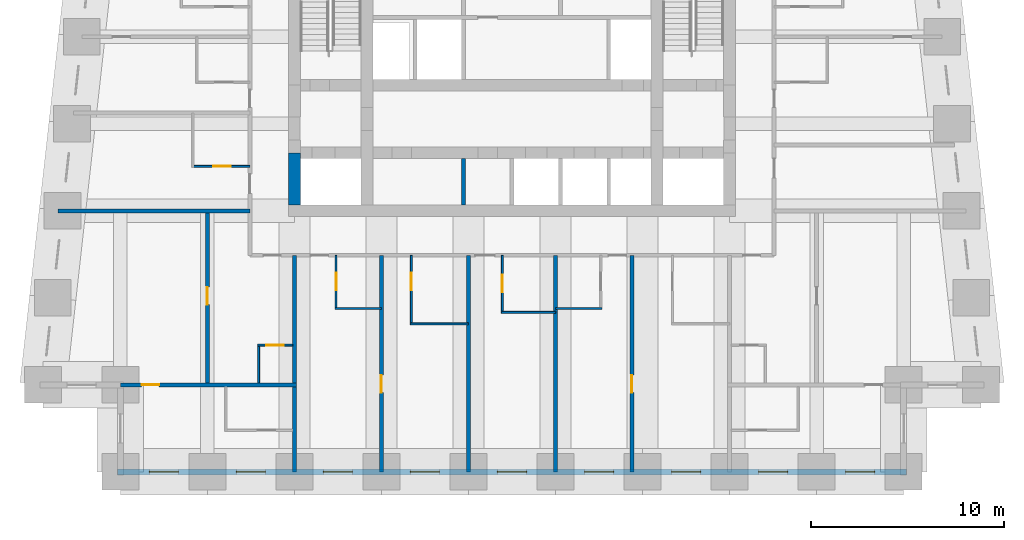
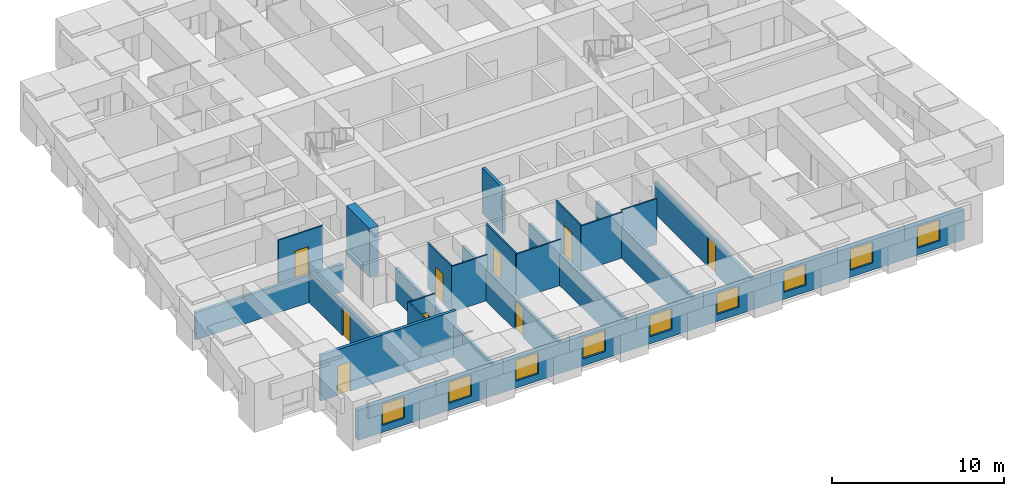
# One storey, part 2 of 8: 21 walls, 9 doors, 9 windows, 18 openings.
"""IFC4 building model written with IfcOpenShell, lengths in metres."""

from ifc_helpers import new_model, si_unit, direction, frame, frame_2d, origin, place, context, subcontext, project, spatial, rectangle, extrude, material, layer, layer_set, type_object, element, fill, save


model = new_model("IFC4")

# Units and contexts
model_context = context("Model", 3, precision=1e-05, world=origin(), true_north=direction((0.0, 1.0)))
body_context = subcontext(model_context, "Body", "Model", "MODEL_VIEW")
ifc_project = project(units=[si_unit("LENGTHUNIT", "METRE"), si_unit("AREAUNIT", "SQUARE_METRE"), si_unit("VOLUMEUNIT", "CUBIC_METRE"), si_unit("PLANEANGLEUNIT", "RADIAN"), si_unit("MASSUNIT", "GRAM", prefix="KILO")], contexts=[model_context])

# Site, building, storey
site_placement = place(None, origin())
site = spatial("IfcSite", under=ifc_project, at=site_placement, CompositionType="ELEMENT")
building_placement = place(site_placement, origin())
building = spatial("IfcBuilding", under=site, at=building_placement, Name="Kilele Tower Hotel", CompositionType="ELEMENT")
storey_placement = place(building_placement, frame((0.0, 0.0, 138.89990234375)))
storey = spatial("IfcBuildingStorey", under=building, at=storey_placement, Name="L36", CompositionType="ELEMENT", Elevation=138.89990234375)

# Wall
ifc_material_1 = material(Name="Moisture-resistant board")
ifc_layer_1 = layer(ifc_material_1, 0.10009765625)
ifc_layer_set_1 = layer_set([ifc_layer_1], Name="Moisture-resistant board")
wall_type_1 = type_object("IfcWallType", Name="Bathroom partition 100", PredefinedType="PLUMBINGWALL", material=ifc_layer_set_1)
wall_1_placement = place(storey_placement, frame((15.60009765625, 8.449951171875, 0.0), z_axis=(0.0, 0.0, 1.0), x_axis=(1.0, 0.0, 0.0)))
element("IfcWall", 1, at=wall_1_placement, inside=storey, type_object=wall_type_1, Name="Bathroom partition 100 L36", PredefinedType="PLUMBINGWALL", context=body_context, shape_type="SweptSolid", body=[
    extrude(rectangle(XDim=2.39990234375, YDim=0.10009765625, at=frame_2d((1.199951171875, 0.0))), origin(), (0.0, 0.0, 1.0), 3.25),
])

# Wall, opening, door
wall_2_placement = place(storey_placement, frame((15.64990234375, 11.199951171875, 0.0), z_axis=(0.0, 0.0, 1.0), x_axis=(0.0, -1.0, 0.0)))
wall_2 = element("IfcWall", 2, at=wall_2_placement, inside=storey, type_object=wall_type_1, Name="Bathroom partition 100 L36", PredefinedType="PLUMBINGWALL", context=body_context, shape_type="SweptSolid", body=[
    extrude(rectangle(XDim=2.800048828125, YDim=0.10009765625, at=frame_2d((1.39990234375, 0.0))), origin(), (0.0, 0.0, 1.0), 3.25),
])
opening_1_placement = place(wall_2_placement, frame((1.7998046875, 0.0, 0.0), z_axis=(0.0, 0.0, 1.0), x_axis=(-1.0, 0.0, 0.0)))
opening_1 = element("IfcOpeningElement", 3, at=opening_1_placement, cuts=wall_2, Name="Opening D2A", PredefinedType="OPENING", context=body_context, shape_type="SweptSolid", body=[
    extrude(rectangle(XDim=0.89990234375, YDim=2.10009765625, at=frame_2d((0.449951171875, 1.050048828125))), frame((0.0, 0.06005859375, 0.0), z_axis=(0.0, -1.0, 0.0), x_axis=(1.0, 0.0, 0.0)), (0.0, 0.0, 1.0), 0.1201171875),
])
ifc_material_2 = material(Name="Timber door leaf in hardwood frame", Category="wood")
door_type_1 = type_object("IfcDoorType", Name="Bathroom door 900", OperationType="SINGLE_SWING_LEFT", PredefinedType="DOOR", material=ifc_material_2)
door_1_placement = place(opening_1_placement, origin())
door_1 = element("IfcDoor", 4, at=door_1_placement, inside=storey, type_object=door_type_1, Name="Bathroom door 3601B", OperationType="SINGLE_SWING_RIGHT", OverallHeight=2.10009765625, OverallWidth=0.89990234375, PredefinedType="DOOR", context=body_context, shape_type="SweptSolid", body=[
    extrude(rectangle(XDim=0.89990234375, YDim=2.10009765625, at=frame_2d((0.449951171875, 1.050048828125))), frame((0.0, 0.02490234375, 0.0), z_axis=(0.0, -1.0, 0.0), x_axis=(1.0, 0.0, 0.0)), (0.0, 0.0, 1.0), 0.050048828125),
])
fill(opening_1, door_1)

# Wall
wall_3_placement = place(storey_placement, frame((19.5, 7.64990234375, 0.0), z_axis=(0.0, 0.0, 1.0), x_axis=(1.0, 0.0, 0.0)))
element("IfcWall", 5, at=wall_3_placement, inside=storey, type_object=wall_type_1, Name="Bathroom partition 100 L36", PredefinedType="PLUMBINGWALL", context=body_context, shape_type="SweptSolid", body=[
    extrude(rectangle(XDim=3.0, YDim=0.10009765625, at=frame_2d((1.5, 0.0))), origin(), (0.0, 0.0, 1.0), 3.25),
])

# Wall, opening, door
wall_4_placement = place(storey_placement, frame((19.550048828125, 11.199951171875, 0.0), z_axis=(0.0, 0.0, 1.0), x_axis=(0.0, -1.0, 0.0)))
wall_4 = element("IfcWall", 6, at=wall_4_placement, inside=storey, type_object=wall_type_1, Name="Bathroom partition 100 L36", PredefinedType="PLUMBINGWALL", context=body_context, shape_type="SweptSolid", body=[
    extrude(rectangle(XDim=3.599853515625, YDim=0.10009765625, at=frame_2d((1.7998046875, 0.0))), origin(), (0.0, 0.0, 1.0), 3.25),
])
opening_2_placement = place(wall_4_placement, frame((1.7998046875, 0.0, 0.0), z_axis=(0.0, 0.0, 1.0), x_axis=(-1.0, 0.0, 0.0)))
opening_2 = element("IfcOpeningElement", 7, at=opening_2_placement, cuts=wall_4, Name="Opening D2A", PredefinedType="OPENING", context=body_context, shape_type="SweptSolid", body=[
    extrude(rectangle(XDim=0.89990234375, YDim=2.10009765625, at=frame_2d((0.449951171875, 1.050048828125))), frame((0.0, 0.06005859375, 0.0), z_axis=(0.0, -1.0, 0.0), x_axis=(1.0, 0.0, 0.0)), (0.0, 0.0, 1.0), 0.1201171875),
])
door_2_placement = place(opening_2_placement, origin())
door_2 = element("IfcDoor", 8, at=door_2_placement, inside=storey, type_object=door_type_1, Name="Bathroom door 3602B", OperationType="SINGLE_SWING_RIGHT", OverallHeight=2.10009765625, OverallWidth=0.89990234375, PredefinedType="DOOR", context=body_context, shape_type="SweptSolid", body=[
    extrude(rectangle(XDim=0.89990234375, YDim=2.10009765625, at=frame_2d((0.449951171875, 1.050048828125))), frame((0.0, 0.02490234375, 0.0), z_axis=(0.0, -1.0, 0.0), x_axis=(1.0, 0.0, 0.0)), (0.0, 0.0, 1.0), 0.050048828125),
])
fill(opening_2, door_2)

# Wall
wall_5_placement = place(storey_placement, frame((24.199951171875, 8.25, 0.0), z_axis=(0.0, 0.0, 1.0), x_axis=(1.0, 0.0, 0.0)))
element("IfcWall", 9, at=wall_5_placement, inside=storey, type_object=wall_type_1, Name="Bathroom partition 100 L36", PredefinedType="PLUMBINGWALL", context=body_context, shape_type="SweptSolid", body=[
    extrude(rectangle(XDim=2.800048828125, YDim=0.10009765625, at=frame_2d((1.39990234375, 0.0))), origin(), (0.0, 0.0, 1.0), 3.25),
])

# Wall, opening, door
wall_6_placement = place(storey_placement, frame((24.25, 11.199951171875, 0.0), z_axis=(0.0, 0.0, 1.0), x_axis=(0.0, -1.0, 0.0)))
wall_6 = element("IfcWall", 10, at=wall_6_placement, inside=storey, type_object=wall_type_1, Name="Bathroom partition 100 L36", PredefinedType="PLUMBINGWALL", context=body_context, shape_type="SweptSolid", body=[
    extrude(rectangle(XDim=3.0, YDim=0.10009765625, at=frame_2d((1.5, 0.0))), origin(), (0.0, 0.0, 1.0), 3.25),
])
opening_3_placement = place(wall_6_placement, frame((1.89990234375, 0.0, 0.0), z_axis=(0.0, 0.0, 1.0), x_axis=(-1.0, 0.0, 0.0)))
opening_3 = element("IfcOpeningElement", 11, at=opening_3_placement, cuts=wall_6, Name="Opening D2A", PredefinedType="OPENING", context=body_context, shape_type="SweptSolid", body=[
    extrude(rectangle(XDim=0.89990234375, YDim=2.10009765625, at=frame_2d((0.449951171875, 1.050048828125))), frame((0.0, 0.06005859375, 0.0), z_axis=(0.0, -1.0, 0.0), x_axis=(1.0, 0.0, 0.0)), (0.0, 0.0, 1.0), 0.1201171875),
])
door_3_placement = place(opening_3_placement, origin())
door_3 = element("IfcDoor", 12, at=door_3_placement, inside=storey, type_object=door_type_1, Name="Bathroom door 3603B", OperationType="SINGLE_SWING_RIGHT", OverallHeight=2.10009765625, OverallWidth=0.89990234375, PredefinedType="DOOR", context=body_context, shape_type="SweptSolid", body=[
    extrude(rectangle(XDim=0.89990234375, YDim=2.10009765625, at=frame_2d((0.449951171875, 1.050048828125))), frame((0.0, 0.02490234375, 0.0), z_axis=(0.0, -1.0, 0.0), x_axis=(1.0, 0.0, 0.0)), (0.0, 0.0, 1.0), 0.050048828125),
])
fill(opening_3, door_3)

# Wall
wall_7_placement = place(storey_placement, frame((27.0, 8.449951171875, 0.0), z_axis=(0.0, 0.0, 1.0), x_axis=(1.0, 0.0, 0.0)))
element("IfcWall", 13, at=wall_7_placement, inside=storey, type_object=wall_type_1, Name="Bathroom partition 100 L36", PredefinedType="PLUMBINGWALL", context=body_context, shape_type="SweptSolid", body=[
    extrude(rectangle(XDim=2.39990234375, YDim=0.10009765625, at=frame_2d((1.199951171875, 0.0))), origin(), (0.0, 0.0, 1.0), 3.25),
])

# Wall, opening, door
wall_8_placement = place(storey_placement, frame((11.199951171875, 15.800048828125, 0.0), z_axis=(0.0, 0.0, 1.0), x_axis=(-1.0, 0.0, 0.0)))
wall_8 = element("IfcWall", 14, at=wall_8_placement, inside=storey, type_object=wall_type_1, Name="Bathroom partition 100 L36", PredefinedType="PLUMBINGWALL", context=body_context, shape_type="SweptSolid", body=[
    extrude(rectangle(XDim=3.0, YDim=0.10009765625, at=frame_2d((1.5, 0.0))), origin(), (0.0, 0.0, 1.0), 3.25),
])
opening_4_placement = place(wall_8_placement, frame((1.0, 0.0, 0.0)))
opening_4 = element("IfcOpeningElement", 15, at=opening_4_placement, cuts=wall_8, Name="Opening D2A", PredefinedType="OPENING", context=body_context, shape_type="SweptSolid", body=[
    extrude(rectangle(XDim=0.89990234375, YDim=2.10009765625, at=frame_2d((0.449951171875, 1.050048828125))), frame((0.0, 0.06005859375, 0.0), z_axis=(0.0, -1.0, 0.0), x_axis=(1.0, 0.0, 0.0)), (0.0, 0.0, 1.0), 0.1201171875),
])
door_4_placement = place(opening_4_placement, origin())
door_4 = element("IfcDoor", 16, at=door_4_placement, inside=storey, type_object=door_type_1, Name="Bathroom door 3614B", OperationType="SINGLE_SWING_LEFT", OverallHeight=2.10009765625, OverallWidth=0.89990234375, PredefinedType="DOOR", context=body_context, shape_type="SweptSolid", body=[
    extrude(rectangle(XDim=0.89990234375, YDim=2.10009765625, at=frame_2d((0.449951171875, 1.050048828125))), frame((0.0, 0.02490234375, 0.0), z_axis=(0.0, -1.0, 0.0), x_axis=(1.0, 0.0, 0.0)), (0.0, 0.0, 1.0), 0.050048828125),
])
fill(opening_4, door_4)

# Wall
wall_9_placement = place(storey_placement, frame((11.64990234375, 4.60009765625, 0.0), z_axis=(0.0, 0.0, 1.0), x_axis=(0.0, 1.0, 0.0)))
element("IfcWall", 17, at=wall_9_placement, inside=storey, type_object=wall_type_1, Name="Bathroom partition 100 L36", PredefinedType="PLUMBINGWALL", context=body_context, shape_type="SweptSolid", body=[
    extrude(rectangle(XDim=2.0, YDim=0.10009765625, at=frame_2d((1.0, 0.0))), origin(), (0.0, 0.0, 1.0), 3.25),
])

# Wall, opening, door
wall_10_placement = place(storey_placement, frame((13.39990234375, 6.550048828125, 0.0), z_axis=(0.0, 0.0, 1.0), x_axis=(-1.0, 0.0, 0.0)))
wall_10 = element("IfcWall", 18, at=wall_10_placement, inside=storey, type_object=wall_type_1, Name="Bathroom partition 100 L36", PredefinedType="PLUMBINGWALL", context=body_context, shape_type="SweptSolid", body=[
    extrude(rectangle(XDim=1.7998046875, YDim=0.10009765625, at=frame_2d((0.89990234375, 0.0))), origin(), (0.0, 0.0, 1.0), 3.25),
])
opening_5_placement = place(wall_10_placement, frame((1.349853515625, 0.0, 0.0), z_axis=(0.0, 0.0, 1.0), x_axis=(-1.0, 0.0, 0.0)))
opening_5 = element("IfcOpeningElement", 19, at=opening_5_placement, cuts=wall_10, Name="Opening D2A", PredefinedType="OPENING", context=body_context, shape_type="SweptSolid", body=[
    extrude(rectangle(XDim=0.89990234375, YDim=2.10009765625, at=frame_2d((0.449951171875, 1.050048828125))), frame((0.0, 0.06005859375, 0.0), z_axis=(0.0, -1.0, 0.0), x_axis=(1.0, 0.0, 0.0)), (0.0, 0.0, 1.0), 0.1201171875),
])
door_5_placement = place(opening_5_placement, origin())
door_5 = element("IfcDoor", 20, at=door_5_placement, inside=storey, type_object=door_type_1, Name="Bathroom door 3617P", OperationType="SINGLE_SWING_RIGHT", OverallHeight=2.10009765625, OverallWidth=0.89990234375, PredefinedType="DOOR", context=body_context, shape_type="SweptSolid", body=[
    extrude(rectangle(XDim=0.89990234375, YDim=2.10009765625, at=frame_2d((0.449951171875, 1.050048828125))), frame((0.0, 0.02490234375, 0.0), z_axis=(0.0, -1.0, 0.0), x_axis=(1.0, 0.0, 0.0)), (0.0, 0.0, 1.0), 0.050048828125),
])
fill(opening_5, door_5)

# Wall
ifc_material_3 = material(Name="Concrete C60/75", Category="concrete")
ifc_layer_2 = layer(ifc_material_3, 0.60009765625)
ifc_layer_set_2 = layer_set([ifc_layer_2], Name="Concrete C60/75")
wall_type_2 = type_object("IfcWallType", Name="Core wall 600 C60/75", PredefinedType="SHEAR", material=ifc_layer_set_2)
wall_11_placement = place(storey_placement, frame((13.5, 16.5, 0.0), z_axis=(0.0, 0.0, 1.0), x_axis=(0.0, -1.0, 0.0)))
element("IfcWall", 21, at=wall_11_placement, inside=storey, type_object=wall_type_2, Name="Core wall W3 L36", PredefinedType="SHEAR", context=body_context, shape_type="SweptSolid", body=[
    extrude(rectangle(XDim=2.699951171875, YDim=0.60009765625, at=frame_2d((1.35009765625, 0.0))), origin(), (0.0, 0.0, 1.0), 3.5),
])

# Wall, opening, door
ifc_material_4 = material(Name="Blockwork, plastered both sides", Category="masonry")
ifc_layer_3 = layer(ifc_material_4, 0.199951171875)
ifc_layer_set_3 = layer_set([ifc_layer_3], Name="Blockwork, plastered both sides")
wall_type_3 = type_object("IfcWallType", Name="Partition wall 200", PredefinedType="PARTITIONING", material=ifc_layer_set_3)
wall_12_placement = place(storey_placement, frame((9.0, 4.60009765625, 0.0), z_axis=(0.0, 0.0, 1.0), x_axis=(0.0, 1.0, 0.0)))
wall_12 = element("IfcWall", 22, at=wall_12_placement, inside=storey, type_object=wall_type_3, Name="Partition wall 200 L36", PredefinedType="PARTITIONING", context=body_context, shape_type="SweptSolid", body=[
    extrude(rectangle(XDim=8.7998046875, YDim=0.199951171875, at=frame_2d((4.39990234375, 0.0))), origin(), (0.0, 0.0, 1.0), 2.25),
])
opening_6_placement = place(wall_12_placement, frame((4.050048828125, 0.0, 0.0)))
opening_6 = element("IfcOpeningElement", 23, at=opening_6_placement, cuts=wall_12, Name="Opening D3", PredefinedType="OPENING", context=body_context, shape_type="SweptSolid", body=[
    extrude(rectangle(XDim=0.89990234375, YDim=2.10009765625, at=frame_2d((0.449951171875, 1.050048828125))), frame((0.0, 0.10986328125, 0.0), z_axis=(0.0, -1.0, 0.0), x_axis=(1.0, 0.0, 0.0)), (0.0, 0.0, 1.0), 0.219970703125),
])
ifc_material_5 = material(Name="Timber door leaf in hardwood frame", Category="wood")
door_type_2 = type_object("IfcDoorType", Name="Suite internal door 900", OperationType="SINGLE_SWING_LEFT", PredefinedType="DOOR", material=ifc_material_5)
door_6_placement = place(opening_6_placement, origin())
door_6 = element("IfcDoor", 24, at=door_6_placement, inside=storey, type_object=door_type_2, Name="Suite door 3618", OperationType="SINGLE_SWING_RIGHT", OverallHeight=2.10009765625, OverallWidth=0.89990234375, PredefinedType="DOOR", context=body_context, shape_type="SweptSolid", body=[
    extrude(rectangle(XDim=0.89990234375, YDim=2.10009765625, at=frame_2d((0.449951171875, 1.050048828125))), frame((0.0, 0.02490234375, 0.0), z_axis=(0.0, -1.0, 0.0), x_axis=(1.0, 0.0, 0.0)), (0.0, 0.0, 1.0), 0.050048828125),
])
fill(opening_6, door_6)

ifc_material_6 = material(Name="Blockwork, plastered both sides", Category="masonry")
ifc_layer_4 = layer(ifc_material_6, 0.199951171875)
ifc_layer_set_4 = layer_set([ifc_layer_4], Name="Blockwork, plastered both sides")
wall_type_4 = type_object("IfcWallType", Name="Party wall 200", PredefinedType="PARTITIONING", material=ifc_layer_set_4)
wall_13_placement = place(storey_placement, frame((18.0, 11.199951171875, 0.0), z_axis=(0.0, 0.0, 1.0), x_axis=(0.0, -1.0, 0.0)))
wall_13 = element("IfcWall", 25, at=wall_13_placement, inside=storey, type_object=wall_type_4, Name="Party wall 200 L36", PredefinedType="PARTITIONING", context=body_context, shape_type="SweptSolid", body=[
    extrude(rectangle(XDim=11.199951171875, YDim=0.199951171875, at=frame_2d((5.60009765625, 0.0))), origin(), (0.0, 0.0, 1.0), 2.25),
])
opening_7_placement = place(wall_13_placement, frame((6.199951171875, 0.0, 0.0)))
opening_7 = element("IfcOpeningElement", 26, at=opening_7_placement, cuts=wall_13, Name="Opening D3", PredefinedType="OPENING", context=body_context, shape_type="SweptSolid", body=[
    extrude(rectangle(XDim=0.89990234375, YDim=2.10009765625, at=frame_2d((0.449951171875, 1.050048828125))), frame((0.0, 0.10986328125, 0.0), z_axis=(0.0, -1.0, 0.0), x_axis=(1.0, 0.0, 0.0)), (0.0, 0.0, 1.0), 0.219970703125),
])
door_7_placement = place(opening_7_placement, origin())
door_7 = element("IfcDoor", 27, at=door_7_placement, inside=storey, type_object=door_type_2, Name="Suite door 3602", OperationType="SINGLE_SWING_RIGHT", OverallHeight=2.10009765625, OverallWidth=0.89990234375, PredefinedType="DOOR", context=body_context, shape_type="SweptSolid", body=[
    extrude(rectangle(XDim=0.89990234375, YDim=2.10009765625, at=frame_2d((0.449951171875, 1.050048828125))), frame((0.0, 0.02490234375, 0.0), z_axis=(0.0, -1.0, 0.0), x_axis=(1.0, 0.0, 0.0)), (0.0, 0.0, 1.0), 0.050048828125),
])
fill(opening_7, door_7)

# Walls
for number, where, z_axis, x_axis, name in (
    (28, (22.5, 11.199951171875, 0.0), (0.0, 0.0, 1.0), (0.0, -1.0, 0.0), "Party wall 200 L36"),
    (29, (27.0, 11.199951171875, 0.0), (0.0, 0.0, 1.0), (0.0, -1.0, 0.0), "Party wall 200 L36"),
):
    element("IfcWall", number, at=place(storey_placement, frame(where, z_axis=z_axis, x_axis=x_axis)), inside=storey, type_object=wall_type_4, Name=name, PredefinedType="PARTITIONING", context=body_context, shape_type="SweptSolid", body=[
        extrude(rectangle(XDim=11.199951171875, YDim=0.199951171875, at=frame_2d((5.60009765625, 0.0))), origin(), (0.0, 0.0, 1.0), 2.25),
    ])

# Wall, opening, door
wall_14_placement = place(storey_placement, frame((30.949951171875, 11.199951171875, 0.0), z_axis=(0.0, 0.0, 1.0), x_axis=(0.0, -1.0, 0.0)))
wall_14 = element("IfcWall", 30, at=wall_14_placement, inside=storey, type_object=wall_type_4, Name="Party wall 200 L36", PredefinedType="PARTITIONING", context=body_context, shape_type="SweptSolid", body=[
    extrude(rectangle(XDim=11.199951171875, YDim=0.199951171875, at=frame_2d((5.60009765625, 0.0))), origin(), (0.0, 0.0, 1.0), 2.25),
])
opening_8_placement = place(wall_14_placement, frame((6.199951171875, 0.0, 0.0)))
opening_8 = element("IfcOpeningElement", 31, at=opening_8_placement, cuts=wall_14, Name="Opening D3", PredefinedType="OPENING", context=body_context, shape_type="SweptSolid", body=[
    extrude(rectangle(XDim=0.89990234375, YDim=2.10009765625, at=frame_2d((0.449951171875, 1.050048828125))), frame((0.0, 0.10986328125, 0.0), z_axis=(0.0, -1.0, 0.0), x_axis=(1.0, 0.0, 0.0)), (0.0, 0.0, 1.0), 0.219970703125),
])
door_8_placement = place(opening_8_placement, origin())
door_8 = element("IfcDoor", 32, at=door_8_placement, inside=storey, type_object=door_type_2, Name="Suite door 3605", OperationType="SINGLE_SWING_RIGHT", OverallHeight=2.10009765625, OverallWidth=0.89990234375, PredefinedType="DOOR", context=body_context, shape_type="SweptSolid", body=[
    extrude(rectangle(XDim=0.89990234375, YDim=2.10009765625, at=frame_2d((0.449951171875, 1.050048828125))), frame((0.0, 0.02490234375, 0.0), z_axis=(0.0, -1.0, 0.0), x_axis=(1.0, 0.0, 0.0)), (0.0, 0.0, 1.0), 0.050048828125),
])
fill(opening_8, door_8)

# Walls
wall_15_placement = place(storey_placement, frame((11.199951171875, 13.5, 0.0), z_axis=(0.0, 0.0, 1.0), x_axis=(-1.0, 0.0, 0.0)))
element("IfcWall", 33, at=wall_15_placement, inside=storey, type_object=wall_type_4, Name="Party wall 200 L36", PredefinedType="PARTITIONING", context=body_context, shape_type="SweptSolid", body=[
    extrude(rectangle(XDim=9.921142578125, YDim=0.199951171875, at=frame_2d((4.96044921875, 0.0))), origin(), (0.0, 0.0, 1.0), 1.9501953125),
])
wall_16_placement = place(storey_placement, frame((13.5, 11.199951171875, 0.0), z_axis=(0.0, 0.0, 1.0), x_axis=(0.0, -1.0, 0.0)))
element("IfcWall", 34, at=wall_16_placement, inside=storey, type_object=wall_type_4, Name="Party wall 200 L36", PredefinedType="PARTITIONING", context=body_context, shape_type="SweptSolid", body=[
    extrude(rectangle(XDim=11.199951171875, YDim=0.199951171875, at=frame_2d((5.60009765625, 0.0))), origin(), (0.0, 0.0, 1.0), 2.25),
])

# Wall, opening, door
wall_17_placement = place(storey_placement, frame((13.60009765625, 4.5, 0.0), z_axis=(0.0, 0.0, 1.0), x_axis=(-1.0, 0.0, 0.0)))
wall_17 = element("IfcWall", 35, at=wall_17_placement, inside=storey, type_object=wall_type_4, Name="Party wall 200 L36", PredefinedType="PARTITIONING", context=body_context, shape_type="SweptSolid", body=[
    extrude(rectangle(XDim=9.10009765625, YDim=0.199951171875, at=frame_2d((4.550048828125, 0.0))), origin(), (0.0, 0.0, 1.0), 3.25),
])
opening_9_placement = place(wall_17_placement, frame((7.10009765625, 0.0, 0.0)))
opening_9 = element("IfcOpeningElement", 36, at=opening_9_placement, cuts=wall_17, Name="Opening D3", PredefinedType="OPENING", context=body_context, shape_type="SweptSolid", body=[
    extrude(rectangle(XDim=0.89990234375, YDim=2.10009765625, at=frame_2d((0.449951171875, 1.050048828125))), frame((0.0, 0.10986328125, 0.0), z_axis=(0.0, -1.0, 0.0), x_axis=(1.0, 0.0, 0.0)), (0.0, 0.0, 1.0), 0.219970703125),
])
door_9_placement = place(opening_9_placement, origin())
door_9 = element("IfcDoor", 37, at=door_9_placement, inside=storey, type_object=door_type_2, Name="Suite door 3619", OperationType="SINGLE_SWING_RIGHT", OverallHeight=2.10009765625, OverallWidth=0.89990234375, PredefinedType="DOOR", context=body_context, shape_type="SweptSolid", body=[
    extrude(rectangle(XDim=0.89990234375, YDim=2.10009765625, at=frame_2d((0.449951171875, 1.050048828125))), frame((0.0, 0.02490234375, 0.0), z_axis=(0.0, -1.0, 0.0), x_axis=(1.0, 0.0, 0.0)), (0.0, 0.0, 1.0), 0.050048828125),
])
fill(opening_9, door_9)

# Wall, openings, windows
ifc_material_7 = material(Name="Concrete C40/50 precast", Category="concrete")
ifc_layer_5 = layer(ifc_material_7, 0.260009765625, Name="Precast backing", Category="LoadBearing")
ifc_material_8 = material(Name="Reconstituted stone finish", Category="masonry")
ifc_layer_6 = layer(ifc_material_8, 0.0400390625, Name="Face mix", Category="Finish")
ifc_layer_set_5 = layer_set([ifc_layer_5, ifc_layer_6], Name="Precast concrete C40/50, reconstituted stone finish")
wall_type_5 = type_object("IfcWallType", Name="Precast stone facade wall 300", PredefinedType="STANDARD", material=ifc_layer_set_5)
wall_18_placement = place(storey_placement, frame((4.35009765625, 0.0, 0.0), z_axis=(0.0, 0.0, 1.0), x_axis=(1.0, 0.0, 0.0)))
wall_18 = element("IfcWall", 38, at=wall_18_placement, inside=storey, type_object=wall_type_5, Name="Facade wall L36 edge 3", PredefinedType="STANDARD", context=body_context, shape_type="SweptSolid", body=[
    extrude(rectangle(XDim=40.7998046875, YDim=0.300048828125, at=frame_2d((20.39990234375, 0.0))), origin(), (0.0, 0.0, 1.0), 2.150146484375),
])
opening_10_placement = place(wall_18_placement, frame((1.64990234375, 0.0, 0.5)))
opening_10 = element("IfcOpeningElement", 39, at=opening_10_placement, cuts=wall_18, Name="Opening W2", PredefinedType="OPENING", context=body_context, shape_type="SweptSolid", body=[
    extrude(rectangle(XDim=1.5, YDim=1.5, at=frame_2d((0.75, 0.75))), frame((0.0, 0.159912109375, 0.0), z_axis=(0.0, -1.0, 0.0), x_axis=(1.0, 0.0, 0.0)), (0.0, 0.0, 1.0), 0.320068359375),
])
opening_11_placement = place(wall_18_placement, frame((6.14990234375, 0.0, 0.5)))
opening_11 = element("IfcOpeningElement", 40, at=opening_11_placement, cuts=wall_18, Name="Opening W2", PredefinedType="OPENING", context=body_context, shape_type="SweptSolid", body=[
    extrude(rectangle(XDim=1.5, YDim=1.5, at=frame_2d((0.75, 0.75))), frame((0.0, 0.159912109375, 0.0), z_axis=(0.0, -1.0, 0.0), x_axis=(1.0, 0.0, 0.0)), (0.0, 0.0, 1.0), 0.320068359375),
])
opening_12_placement = place(wall_18_placement, frame((10.64990234375, 0.0, 0.5)))
opening_12 = element("IfcOpeningElement", 41, at=opening_12_placement, cuts=wall_18, Name="Opening W2", PredefinedType="OPENING", context=body_context, shape_type="SweptSolid", body=[
    extrude(rectangle(XDim=1.5, YDim=1.5, at=frame_2d((0.75, 0.75))), frame((0.0, 0.159912109375, 0.0), z_axis=(0.0, -1.0, 0.0), x_axis=(1.0, 0.0, 0.0)), (0.0, 0.0, 1.0), 0.320068359375),
])
opening_13_placement = place(wall_18_placement, frame((15.14990234375, 0.0, 0.5)))
opening_13 = element("IfcOpeningElement", 42, at=opening_13_placement, cuts=wall_18, Name="Opening W2", PredefinedType="OPENING", context=body_context, shape_type="SweptSolid", body=[
    extrude(rectangle(XDim=1.5, YDim=1.5, at=frame_2d((0.75, 0.75))), frame((0.0, 0.159912109375, 0.0), z_axis=(0.0, -1.0, 0.0), x_axis=(1.0, 0.0, 0.0)), (0.0, 0.0, 1.0), 0.320068359375),
])
opening_14_placement = place(wall_18_placement, frame((19.64990234375, 0.0, 0.5)))
opening_14 = element("IfcOpeningElement", 43, at=opening_14_placement, cuts=wall_18, Name="Opening W2", PredefinedType="OPENING", context=body_context, shape_type="SweptSolid", body=[
    extrude(rectangle(XDim=1.5, YDim=1.5, at=frame_2d((0.75, 0.75))), frame((0.0, 0.159912109375, 0.0), z_axis=(0.0, -1.0, 0.0), x_axis=(1.0, 0.0, 0.0)), (0.0, 0.0, 1.0), 0.320068359375),
])
opening_15_placement = place(wall_18_placement, frame((24.14990234375, 0.0, 0.5)))
opening_15 = element("IfcOpeningElement", 44, at=opening_15_placement, cuts=wall_18, Name="Opening W2", PredefinedType="OPENING", context=body_context, shape_type="SweptSolid", body=[
    extrude(rectangle(XDim=1.5, YDim=1.5, at=frame_2d((0.75, 0.75))), frame((0.0, 0.159912109375, 0.0), z_axis=(0.0, -1.0, 0.0), x_axis=(1.0, 0.0, 0.0)), (0.0, 0.0, 1.0), 0.320068359375),
])
opening_16_placement = place(wall_18_placement, frame((28.64990234375, 0.0, 0.5)))
opening_16 = element("IfcOpeningElement", 45, at=opening_16_placement, cuts=wall_18, Name="Opening W2", PredefinedType="OPENING", context=body_context, shape_type="SweptSolid", body=[
    extrude(rectangle(XDim=1.5, YDim=1.5, at=frame_2d((0.75, 0.75))), frame((0.0, 0.159912109375, 0.0), z_axis=(0.0, -1.0, 0.0), x_axis=(1.0, 0.0, 0.0)), (0.0, 0.0, 1.0), 0.320068359375),
])
opening_17_placement = place(wall_18_placement, frame((33.14990234375, 0.0, 0.5)))
opening_17 = element("IfcOpeningElement", 46, at=opening_17_placement, cuts=wall_18, Name="Opening W2", PredefinedType="OPENING", context=body_context, shape_type="SweptSolid", body=[
    extrude(rectangle(XDim=1.5, YDim=1.5, at=frame_2d((0.75, 0.75))), frame((0.0, 0.159912109375, 0.0), z_axis=(0.0, -1.0, 0.0), x_axis=(1.0, 0.0, 0.0)), (0.0, 0.0, 1.0), 0.320068359375),
])
opening_18_placement = place(wall_18_placement, frame((37.64990234375, 0.0, 0.5)))
opening_18 = element("IfcOpeningElement", 47, at=opening_18_placement, cuts=wall_18, Name="Opening W2", PredefinedType="OPENING", context=body_context, shape_type="SweptSolid", body=[
    extrude(rectangle(XDim=1.5, YDim=1.5, at=frame_2d((0.75, 0.75))), frame((0.0, 0.159912109375, 0.0), z_axis=(0.0, -1.0, 0.0), x_axis=(1.0, 0.0, 0.0)), (0.0, 0.0, 1.0), 0.320068359375),
])
ifc_material_9 = material(Name="Aluminium frame, clear double glazing", Category="aluminium")
window_type = type_object("IfcWindowType", Name="Window W2 1500 x 1500", PartitioningType="SINGLE_PANEL", PredefinedType="WINDOW", material=ifc_material_9)
window_1_placement = place(opening_10_placement, origin())
window_1 = element("IfcWindow", 48, at=window_1_placement, inside=storey, type_object=window_type, Name="Window L36", OverallHeight=1.5, OverallWidth=1.5, PartitioningType="SINGLE_PANEL", PredefinedType="WINDOW", context=body_context, shape_type="SweptSolid", body=[
    extrude(rectangle(XDim=1.5, YDim=1.5, at=frame_2d((0.75, 0.75))), frame((0.0, 0.030029296875, 0.0), z_axis=(0.0, -1.0, 0.0), x_axis=(1.0, 0.0, 0.0)), (0.0, 0.0, 1.0), 0.06005859375),
])
fill(opening_10, window_1)
window_2_placement = place(opening_11_placement, origin())
window_2 = element("IfcWindow", 49, at=window_2_placement, inside=storey, type_object=window_type, Name="Window L36", OverallHeight=1.5, OverallWidth=1.5, PartitioningType="SINGLE_PANEL", PredefinedType="WINDOW", context=body_context, shape_type="SweptSolid", body=[
    extrude(rectangle(XDim=1.5, YDim=1.5, at=frame_2d((0.75, 0.75))), frame((0.0, 0.030029296875, 0.0), z_axis=(0.0, -1.0, 0.0), x_axis=(1.0, 0.0, 0.0)), (0.0, 0.0, 1.0), 0.06005859375),
])
fill(opening_11, window_2)
window_3_placement = place(opening_12_placement, origin())
window_3 = element("IfcWindow", 50, at=window_3_placement, inside=storey, type_object=window_type, Name="Window L36", OverallHeight=1.5, OverallWidth=1.5, PartitioningType="SINGLE_PANEL", PredefinedType="WINDOW", context=body_context, shape_type="SweptSolid", body=[
    extrude(rectangle(XDim=1.5, YDim=1.5, at=frame_2d((0.75, 0.75))), frame((0.0, 0.030029296875, 0.0), z_axis=(0.0, -1.0, 0.0), x_axis=(1.0, 0.0, 0.0)), (0.0, 0.0, 1.0), 0.06005859375),
])
fill(opening_12, window_3)
window_4_placement = place(opening_13_placement, origin())
window_4 = element("IfcWindow", 51, at=window_4_placement, inside=storey, type_object=window_type, Name="Window L36", OverallHeight=1.5, OverallWidth=1.5, PartitioningType="SINGLE_PANEL", PredefinedType="WINDOW", context=body_context, shape_type="SweptSolid", body=[
    extrude(rectangle(XDim=1.5, YDim=1.5, at=frame_2d((0.75, 0.75))), frame((0.0, 0.030029296875, 0.0), z_axis=(0.0, -1.0, 0.0), x_axis=(1.0, 0.0, 0.0)), (0.0, 0.0, 1.0), 0.06005859375),
])
fill(opening_13, window_4)
window_5_placement = place(opening_14_placement, origin())
window_5 = element("IfcWindow", 52, at=window_5_placement, inside=storey, type_object=window_type, Name="Window L36", OverallHeight=1.5, OverallWidth=1.5, PartitioningType="SINGLE_PANEL", PredefinedType="WINDOW", context=body_context, shape_type="SweptSolid", body=[
    extrude(rectangle(XDim=1.5, YDim=1.5, at=frame_2d((0.75, 0.75))), frame((0.0, 0.030029296875, 0.0), z_axis=(0.0, -1.0, 0.0), x_axis=(1.0, 0.0, 0.0)), (0.0, 0.0, 1.0), 0.06005859375),
])
fill(opening_14, window_5)
window_6_placement = place(opening_15_placement, origin())
window_6 = element("IfcWindow", 53, at=window_6_placement, inside=storey, type_object=window_type, Name="Window L36", OverallHeight=1.5, OverallWidth=1.5, PartitioningType="SINGLE_PANEL", PredefinedType="WINDOW", context=body_context, shape_type="SweptSolid", body=[
    extrude(rectangle(XDim=1.5, YDim=1.5, at=frame_2d((0.75, 0.75))), frame((0.0, 0.030029296875, 0.0), z_axis=(0.0, -1.0, 0.0), x_axis=(1.0, 0.0, 0.0)), (0.0, 0.0, 1.0), 0.06005859375),
])
fill(opening_15, window_6)
window_7_placement = place(opening_16_placement, origin())
window_7 = element("IfcWindow", 54, at=window_7_placement, inside=storey, type_object=window_type, Name="Window L36", OverallHeight=1.5, OverallWidth=1.5, PartitioningType="SINGLE_PANEL", PredefinedType="WINDOW", context=body_context, shape_type="SweptSolid", body=[
    extrude(rectangle(XDim=1.5, YDim=1.5, at=frame_2d((0.75, 0.75))), frame((0.0, 0.030029296875, 0.0), z_axis=(0.0, -1.0, 0.0), x_axis=(1.0, 0.0, 0.0)), (0.0, 0.0, 1.0), 0.06005859375),
])
fill(opening_16, window_7)
window_8_placement = place(opening_17_placement, origin())
window_8 = element("IfcWindow", 55, at=window_8_placement, inside=storey, type_object=window_type, Name="Window L36", OverallHeight=1.5, OverallWidth=1.5, PartitioningType="SINGLE_PANEL", PredefinedType="WINDOW", context=body_context, shape_type="SweptSolid", body=[
    extrude(rectangle(XDim=1.5, YDim=1.5, at=frame_2d((0.75, 0.75))), frame((0.0, 0.030029296875, 0.0), z_axis=(0.0, -1.0, 0.0), x_axis=(1.0, 0.0, 0.0)), (0.0, 0.0, 1.0), 0.06005859375),
])
fill(opening_17, window_8)
window_9_placement = place(opening_18_placement, origin())
window_9 = element("IfcWindow", 56, at=window_9_placement, inside=storey, type_object=window_type, Name="Window L36", OverallHeight=1.5, OverallWidth=1.5, PartitioningType="SINGLE_PANEL", PredefinedType="WINDOW", context=body_context, shape_type="SweptSolid", body=[
    extrude(rectangle(XDim=1.5, YDim=1.5, at=frame_2d((0.75, 0.75))), frame((0.0, 0.030029296875, 0.0), z_axis=(0.0, -1.0, 0.0), x_axis=(1.0, 0.0, 0.0)), (0.0, 0.0, 1.0), 0.06005859375),
])
fill(opening_18, window_9)

# Wall
ifc_material_10 = material(Name="Blockwork, fire-rated", Category="masonry")
ifc_layer_7 = layer(ifc_material_10, 0.199951171875)
ifc_layer_set_6 = layer_set([ifc_layer_7], Name="Blockwork, fire-rated")
wall_type_6 = type_object("IfcWallType", Name="Shaft wall 200", PredefinedType="PARTITIONING", material=ifc_layer_set_6)
wall_19_placement = place(storey_placement, frame((22.25, 13.800048828125, 0.0), z_axis=(0.0, 0.0, 1.0), x_axis=(0.0, 1.0, 0.0)))
element("IfcWall", 57, at=wall_19_placement, inside=storey, type_object=wall_type_6, Name="Shaft wall 200 L36", PredefinedType="PARTITIONING", context=body_context, shape_type="SweptSolid", body=[
    extrude(rectangle(XDim=2.39990234375, YDim=0.199951171875, at=frame_2d((1.199951171875, 0.0))), origin(), (0.0, 0.0, 1.0), 3.25),
])

save(model, "model.ifc")
